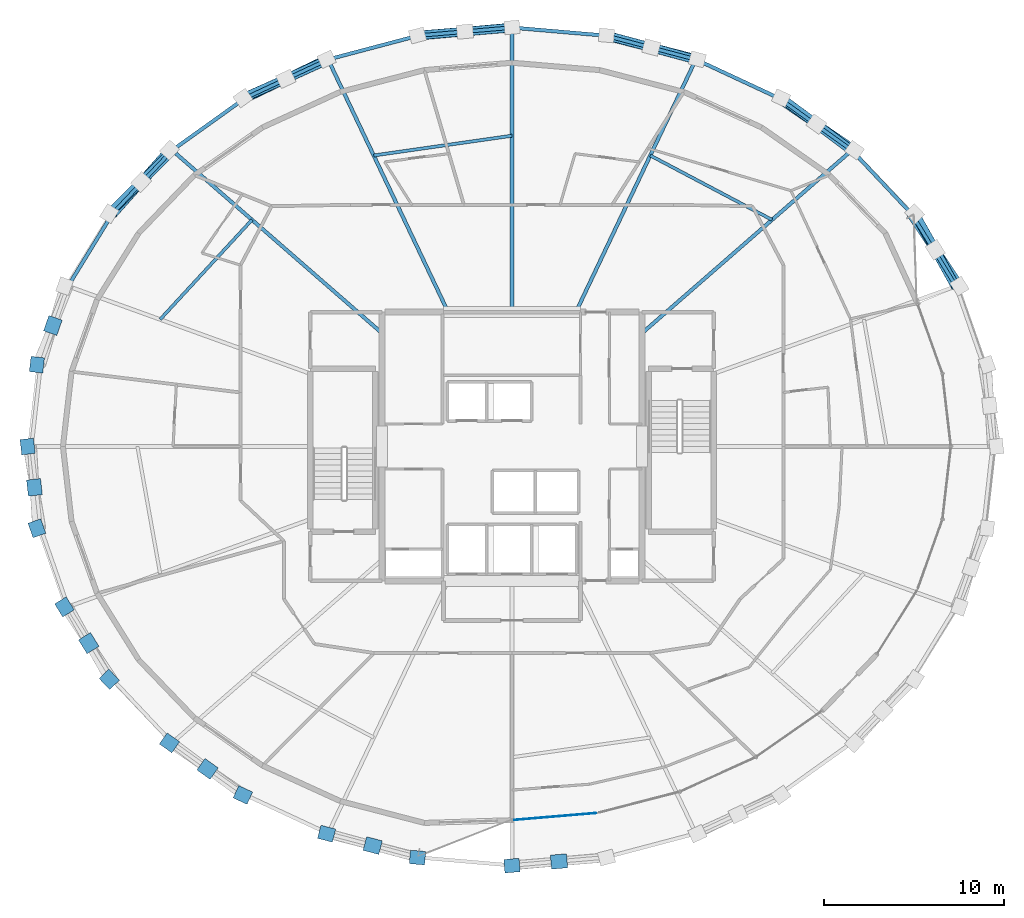
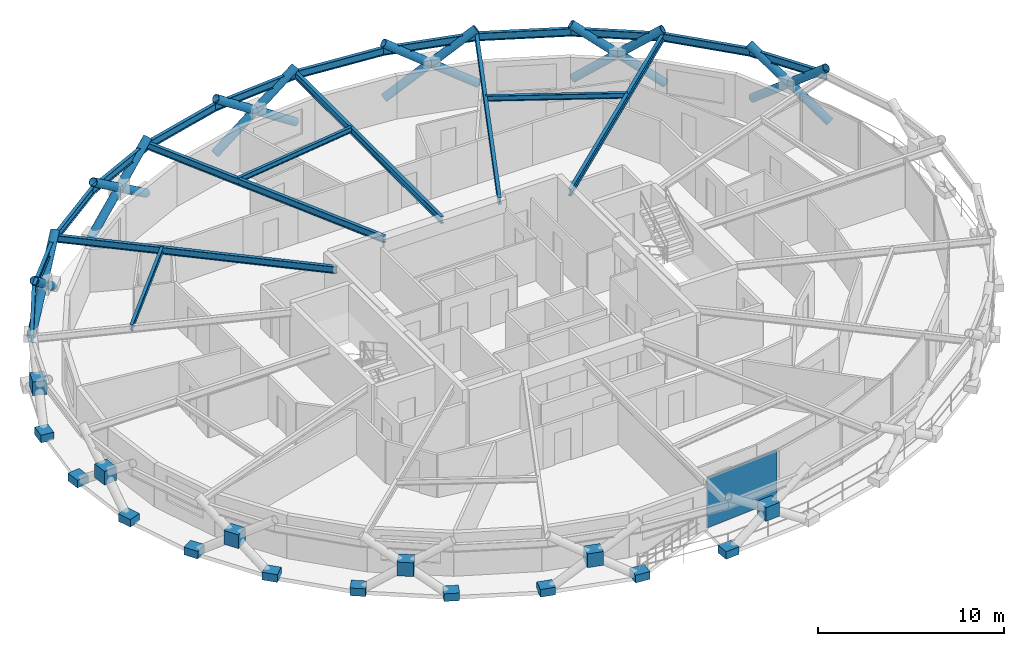
# One storey, part 10 of 16: 20 beams, 18 members, 17 plates, 1 element without a shape of its own.
"""IFC4 building model written with IfcOpenShell, lengths in metres."""

from ifc_helpers import new_model, si_unit, direction, frame, origin, origin_2d, place, context, subcontext, project, spatial, rectangle, hollow_circle, i_section, extrude, material, layer, layer_set, material_profile, profile_set, type_object, element, aggregate, save


model = new_model("IFC4")

# Units and contexts
model_context = context("Model", 3, precision=1e-05, world=origin(), true_north=direction((0.0, 1.0)))
body_context = subcontext(model_context, "Body", "Model", "MODEL_VIEW")
ifc_project = project(units=[si_unit("LENGTHUNIT", "METRE"), si_unit("AREAUNIT", "SQUARE_METRE"), si_unit("VOLUMEUNIT", "CUBIC_METRE"), si_unit("PLANEANGLEUNIT", "RADIAN"), si_unit("MASSUNIT", "GRAM", prefix="KILO")], contexts=[model_context])

# Site, building, storey
site_placement = place(None, origin())
site = spatial("IfcSite", under=ifc_project, at=site_placement, CompositionType="ELEMENT")
building_placement = place(site_placement, origin())
building = spatial("IfcBuilding", under=site, at=building_placement, Name="Veldorina Hangang Commons", CompositionType="ELEMENT")
storey_placement = place(building_placement, frame((0.0, 0.0, 192.800048828125)))
storey = spatial("IfcBuildingStorey", under=building, at=storey_placement, Name="L50", CompositionType="ELEMENT", Elevation=192.800048828125)

# Beams
ifc_material_1 = material(Name="Steel SM355-TMC", Category="steel")
ifc_material_profile_1 = material_profile(ifc_material_1, i_section(OverallWidth=0.199951171875, OverallDepth=0.449951171875, WebThickness=0.009033203125, FlangeThickness=0.013916015625, FilletRadius=0.01611328125, at=origin_2d()), Name="H-450x200x9x14")
ifc_profile_set_1 = profile_set([ifc_material_profile_1], Name="Steel SM355-TMC")
beam_type_1 = type_object("IfcBeamType", Name="BM-FG450", PredefinedType="BEAM", material=ifc_profile_set_1)
beam_1_placement = place(storey_placement, frame((39.199951171875, 30.276611328125, 3.125), z_axis=(0.753792605876, 0.657112400832, 0.0), x_axis=(-0.657112400832, 0.753792605876, 0.0)))
element("IfcBeam", 1, at=beam_1_placement, inside=storey, type_object=beam_type_1, Name="L50 radial floor girder 03", PredefinedType="BEAM", context=body_context, shape_type="SweptSolid", body=[
    extrude(i_section(OverallWidth=0.199951171875, OverallDepth=0.449951171875, WebThickness=0.009033203125, FlangeThickness=0.013916015625, FilletRadius=0.01611328125, at=origin_2d()), origin(), (0.0, 0.0, 1.0), 15.4443359375),
])
beam_2_placement = place(storey_placement, frame((35.539794921875, 31.449951171875, 3.125), z_axis=(0.42916853265, 0.903224429798, 0.0), x_axis=(-0.903224429798, 0.42916853265, 0.0)))
element("IfcBeam", 2, at=beam_2_placement, inside=storey, type_object=beam_type_1, Name="L50 radial floor girder 04", PredefinedType="BEAM", context=body_context, shape_type="SweptSolid", body=[
    extrude(i_section(OverallWidth=0.199951171875, OverallDepth=0.449951171875, WebThickness=0.009033203125, FlangeThickness=0.013916015625, FilletRadius=0.01611328125, at=origin_2d()), origin(), (0.0, 0.0, 1.0), 15.511962890625),
])
beam_3_placement = place(storey_placement, frame((32.0, 31.449951171875, 3.125), z_axis=(0.0, 1.0, 0.0), x_axis=(-1.0, 0.0, 0.0)))
element("IfcBeam", 3, at=beam_3_placement, inside=storey, type_object=beam_type_1, Name="L50 radial floor girder 05", PredefinedType="BEAM", context=body_context, shape_type="SweptSolid", body=[
    extrude(i_section(OverallWidth=0.199951171875, OverallDepth=0.449951171875, WebThickness=0.009033203125, FlangeThickness=0.013916015625, FilletRadius=0.01611328125, at=origin_2d()), origin(), (0.0, 0.0, 1.0), 15.779052734375),
])
beam_4_placement = place(storey_placement, frame((28.460205078125, 31.449951171875, 3.125), z_axis=(-0.42916853265, 0.903224429798, 0.0), x_axis=(-0.903224429798, -0.42916853265, 0.0)))
element("IfcBeam", 4, at=beam_4_placement, inside=storey, type_object=beam_type_1, Name="L50 radial floor girder 06", PredefinedType="BEAM", context=body_context, shape_type="SweptSolid", body=[
    extrude(i_section(OverallWidth=0.199951171875, OverallDepth=0.449951171875, WebThickness=0.009033203125, FlangeThickness=0.013916015625, FilletRadius=0.01611328125, at=origin_2d()), origin(), (0.0, 0.0, 1.0), 15.511962890625),
])
beam_5_placement = place(storey_placement, frame((24.800048828125, 30.276611328125, 3.125), z_axis=(-0.753792605876, 0.657112400832, 0.0), x_axis=(-0.657112400832, -0.753792605876, 0.0)))
element("IfcBeam", 5, at=beam_5_placement, inside=storey, type_object=beam_type_1, Name="L50 radial floor girder 07", PredefinedType="BEAM", context=body_context, shape_type="SweptSolid", body=[
    extrude(i_section(OverallWidth=0.199951171875, OverallDepth=0.449951171875, WebThickness=0.009033203125, FlangeThickness=0.013916015625, FilletRadius=0.01611328125, at=origin_2d()), origin(), (0.0, 0.0, 1.0), 15.4443359375),
])
ifc_material_profile_2 = material_profile(ifc_material_1, i_section(OverallWidth=0.175048828125, OverallDepth=0.35009765625, WebThickness=0.007080078125, FlangeThickness=0.010986328125, FilletRadius=0.012939453125, at=origin_2d()), Name="H-350x175x7x11")
ifc_profile_set_2 = profile_set([ifc_material_profile_2], Name="Steel SM355-TMC")
beam_type_2 = type_object("IfcBeamType", Name="BM-JST350", PredefinedType="JOIST", material=ifc_profile_set_2)
beam_6_placement = place(storey_placement, frame((46.41796875, 36.56884765625, 3.175048828125), z_axis=(-0.884108150213, 0.467282332992, 0.0), x_axis=(-0.467282332992, -0.884108150213, 0.0)))
element("IfcBeam", 6, at=beam_6_placement, inside=storey, type_object=beam_type_2, Name="L50 secondary floor joist 03", PredefinedType="JOIST", context=body_context, shape_type="SweptSolid", body=[
    extrude(i_section(OverallWidth=0.175048828125, OverallDepth=0.35009765625, WebThickness=0.007080078125, FlangeThickness=0.010986328125, FilletRadius=0.012939453125, at=origin_2d()), origin(), (0.0, 0.0, 1.0), 7.63525390625),
])
beam_7_placement = place(storey_placement, frame((32.0, 41.23291015625, 3.175048828125), z_axis=(-0.989934358132, -0.141527264472, 0.0), x_axis=(0.141527264472, -0.989934358132, 0.0)))
element("IfcBeam", 7, at=beam_7_placement, inside=storey, type_object=beam_type_2, Name="L50 secondary floor joist 05", PredefinedType="JOIST", context=body_context, shape_type="SweptSolid", body=[
    extrude(i_section(OverallWidth=0.175048828125, OverallDepth=0.35009765625, WebThickness=0.007080078125, FlangeThickness=0.010986328125, FilletRadius=0.012939453125, at=origin_2d()), origin(), (0.0, 0.0, 1.0), 7.745361328125),
])
beam_8_placement = place(storey_placement, frame((17.58203125, 36.56884765625, 3.175048828125), z_axis=(-0.677934542783, -0.735122272619, 0.0), x_axis=(0.735122272619, -0.677934542783, 0.0)))
element("IfcBeam", 8, at=beam_8_placement, inside=storey, type_object=beam_type_2, Name="L50 secondary floor joist 07", PredefinedType="JOIST", context=body_context, shape_type="SweptSolid", body=[
    extrude(i_section(OverallWidth=0.175048828125, OverallDepth=0.35009765625, WebThickness=0.007080078125, FlangeThickness=0.010986328125, FilletRadius=0.012939453125, at=origin_2d()), origin(), (0.0, 0.0, 1.0), 7.513671875),
])
ifc_material_2 = material(Name="Steel SM420-TMC", Category="steel")
ifc_material_profile_3 = material_profile(ifc_material_2, i_section(OverallWidth=0.199951171875, OverallDepth=0.5, WebThickness=0.010009765625, FlangeThickness=0.01611328125, FilletRadius=0.01611328125, at=origin_2d()), Name="H-500x200x10x16")
ifc_profile_set_3 = profile_set([ifc_material_profile_3], Name="Steel SM420-TMC")
beam_type_3 = type_object("IfcBeamType", Name="BM-RB500", PredefinedType="BEAM", material=ifc_profile_set_3)
beam_9_placement = place(storey_placement, frame((56.617919921875, 32.889404296875, 3.099853515625), z_axis=(-0.522688447386, 0.852523775017, 0.0), x_axis=(-0.852523775017, -0.522688447386, 0.0)))
element("IfcBeam", 9, at=beam_9_placement, inside=storey, type_object=beam_type_3, Name="L50 perimeter hoop ring beam 02", PredefinedType="BEAM", context=body_context, shape_type="SweptSolid", body=[
    extrude(i_section(OverallWidth=0.199951171875, OverallDepth=0.5, WebThickness=0.010009765625, FlangeThickness=0.01611328125, FilletRadius=0.01611328125, at=origin_2d()), origin(), (0.0, 0.0, 1.0), 4.71044921875),
])
beam_10_placement = place(storey_placement, frame((54.15576171875, 36.9052734375, 3.099853515625), z_axis=(-0.685474955266, 0.728096206352, 0.0), x_axis=(-0.728096206352, -0.685474955266, 0.0)))
element("IfcBeam", 10, at=beam_10_placement, inside=storey, type_object=beam_type_3, Name="L50 perimeter hoop ring beam 03", PredefinedType="BEAM", context=body_context, shape_type="SweptSolid", body=[
    extrude(i_section(OverallWidth=0.199951171875, OverallDepth=0.5, WebThickness=0.010009765625, FlangeThickness=0.01611328125, FilletRadius=0.01611328125, at=origin_2d()), origin(), (0.0, 0.0, 1.0), 4.83447265625),
])
beam_11_placement = place(storey_placement, frame((50.841796875, 40.42529296875, 3.099853515625), z_axis=(-0.813281360242, 0.581870629164, 0.0), x_axis=(-0.581870629164, -0.813281360242, 0.0)))
element("IfcBeam", 11, at=beam_11_placement, inside=storey, type_object=beam_type_3, Name="L50 perimeter hoop ring beam 04", PredefinedType="BEAM", context=body_context, shape_type="SweptSolid", body=[
    extrude(i_section(OverallWidth=0.199951171875, OverallDepth=0.5, WebThickness=0.010009765625, FlangeThickness=0.01611328125, FilletRadius=0.01611328125, at=origin_2d()), origin(), (0.0, 0.0, 1.0), 4.96484375),
])
beam_12_placement = place(storey_placement, frame((46.803955078125, 43.314208984375, 3.099853515625), z_axis=(-0.906440683499, 0.422333147288, 0.0), x_axis=(-0.422333147288, -0.906440683499, 0.0)))
element("IfcBeam", 12, at=beam_12_placement, inside=storey, type_object=beam_type_3, Name="L50 perimeter hoop ring beam 05", PredefinedType="BEAM", context=body_context, shape_type="SweptSolid", body=[
    extrude(i_section(OverallWidth=0.199951171875, OverallDepth=0.5, WebThickness=0.010009765625, FlangeThickness=0.01611328125, FilletRadius=0.01611328125, at=origin_2d()), origin(), (0.0, 0.0, 1.0), 5.08251953125),
])
beam_13_placement = place(storey_placement, frame((42.197021484375, 45.460693359375, 3.099853515625), z_axis=(-0.966758800249, 0.255690090034, 0.0), x_axis=(-0.255690090034, -0.966758800249, 0.0)))
element("IfcBeam", 13, at=beam_13_placement, inside=storey, type_object=beam_type_3, Name="L50 perimeter hoop ring beam 06", PredefinedType="BEAM", context=body_context, shape_type="SweptSolid", body=[
    extrude(i_section(OverallWidth=0.199951171875, OverallDepth=0.5, WebThickness=0.010009765625, FlangeThickness=0.01611328125, FilletRadius=0.01611328125, at=origin_2d()), origin(), (0.0, 0.0, 1.0), 5.17041015625),
])
for number, where, z_axis, x_axis, name in (
    (14, (37.198486328125, 46.78271484375, 3.099853515625), (-0.996335150659, 0.085535183178, 0.0), (-0.085535183178, -0.996335150659, 0.0), "L50 perimeter hoop ring beam 07"),
    (15, (32.0, 47.22900390625, 3.099853515625), (-0.996335150659, -0.085535183178, 0.0), (0.085535183178, -0.996335150659, 0.0), "L50 perimeter hoop ring beam 08"),
):
    element("IfcBeam", number, at=place(storey_placement, frame(where, z_axis=z_axis, x_axis=x_axis)), inside=storey, type_object=beam_type_3, Name=name, PredefinedType="BEAM", context=body_context, shape_type="SweptSolid", body=[
        extrude(i_section(OverallWidth=0.199951171875, OverallDepth=0.5, WebThickness=0.010009765625, FlangeThickness=0.01611328125, FilletRadius=0.01611328125, at=origin_2d()), origin(), (0.0, 0.0, 1.0), 5.217529296875),
    ])
beam_14_placement = place(storey_placement, frame((26.801513671875, 46.78271484375, 3.099853515625), z_axis=(-0.966758800249, -0.255690090034, 0.0), x_axis=(0.255690090034, -0.966758800249, 0.0)))
element("IfcBeam", 16, at=beam_14_placement, inside=storey, type_object=beam_type_3, Name="L50 perimeter hoop ring beam 09", PredefinedType="BEAM", context=body_context, shape_type="SweptSolid", body=[
    extrude(i_section(OverallWidth=0.199951171875, OverallDepth=0.5, WebThickness=0.010009765625, FlangeThickness=0.01611328125, FilletRadius=0.01611328125, at=origin_2d()), origin(), (0.0, 0.0, 1.0), 5.17041015625),
])
beam_15_placement = place(storey_placement, frame((21.802978515625, 45.460693359375, 3.099853515625), z_axis=(-0.906440683499, -0.422333147288, 0.0), x_axis=(0.422333147288, -0.906440683499, 0.0)))
element("IfcBeam", 17, at=beam_15_placement, inside=storey, type_object=beam_type_3, Name="L50 perimeter hoop ring beam 10", PredefinedType="BEAM", context=body_context, shape_type="SweptSolid", body=[
    extrude(i_section(OverallWidth=0.199951171875, OverallDepth=0.5, WebThickness=0.010009765625, FlangeThickness=0.01611328125, FilletRadius=0.01611328125, at=origin_2d()), origin(), (0.0, 0.0, 1.0), 5.08251953125),
])
beam_16_placement = place(storey_placement, frame((17.196044921875, 43.314208984375, 3.099853515625), z_axis=(-0.813281360242, -0.581870629164, 0.0), x_axis=(0.581870629164, -0.813281360242, 0.0)))
element("IfcBeam", 18, at=beam_16_placement, inside=storey, type_object=beam_type_3, Name="L50 perimeter hoop ring beam 11", PredefinedType="BEAM", context=body_context, shape_type="SweptSolid", body=[
    extrude(i_section(OverallWidth=0.199951171875, OverallDepth=0.5, WebThickness=0.010009765625, FlangeThickness=0.01611328125, FilletRadius=0.01611328125, at=origin_2d()), origin(), (0.0, 0.0, 1.0), 4.96484375),
])
beam_17_placement = place(storey_placement, frame((13.158203125, 40.42529296875, 3.099853515625), z_axis=(-0.685474955266, -0.728096206352, 0.0), x_axis=(0.728096206352, -0.685474955266, 0.0)))
element("IfcBeam", 19, at=beam_17_placement, inside=storey, type_object=beam_type_3, Name="L50 perimeter hoop ring beam 12", PredefinedType="BEAM", context=body_context, shape_type="SweptSolid", body=[
    extrude(i_section(OverallWidth=0.199951171875, OverallDepth=0.5, WebThickness=0.010009765625, FlangeThickness=0.01611328125, FilletRadius=0.01611328125, at=origin_2d()), origin(), (0.0, 0.0, 1.0), 4.83447265625),
])
beam_18_placement = place(storey_placement, frame((9.84423828125, 36.9052734375, 3.099853515625), z_axis=(-0.522688447386, -0.852523775017, 0.0), x_axis=(0.852523775017, -0.522688447386, 0.0)))
element("IfcBeam", 20, at=beam_18_placement, inside=storey, type_object=beam_type_3, Name="L50 perimeter hoop ring beam 13", PredefinedType="BEAM", context=body_context, shape_type="SweptSolid", body=[
    extrude(i_section(OverallWidth=0.199951171875, OverallDepth=0.5, WebThickness=0.010009765625, FlangeThickness=0.01611328125, FilletRadius=0.01611328125, at=origin_2d()), origin(), (0.0, 0.0, 1.0), 4.71044921875),
])

# Members
ifc_material_profile_4 = material_profile(ifc_material_2, hollow_circle(Radius=0.25, WallThickness=0.02490234375, at=origin_2d()), Name="CHS-500x25")
ifc_profile_set_4 = profile_set([ifc_material_profile_4], Name="Steel SM420-TMC")
member_type = type_object("IfcMemberType", Name="DG-CHS500", PredefinedType="BRACE", material=ifc_profile_set_4)
member_1_placement = place(storey_placement, frame((56.8154296875, 32.893310546875, 0.0), z_axis=(-0.446378599208, 0.665960225789, 0.597698187915), x_axis=(-0.830663114667, -0.556775349608, 0.0)))
element("IfcMember", 21, at=member_1_placement, inside=storey, type_object=member_type, Name="L50 continuous perimeter diagrid brace 02", PredefinedType="BRACE", context=body_context, shape_type="SweptSolid", body=[
    extrude(hollow_circle(Radius=0.25, WallThickness=0.02490234375, at=origin_2d()), origin(), (0.0, 0.0, 1.0), 6.02294921875),
])
member_2_placement = place(storey_placement, frame((54.333251953125, 36.9111328125, 0.0), z_axis=(0.387895490788, -0.68609067036, 0.615480852888), x_axis=(0.870505703709, 0.49215832799, 0.0)))
element("IfcMember", 22, at=member_2_placement, inside=storey, type_object=member_type, Name="L50 split perimeter diagrid lower brace 03", PredefinedType="BRACE", context=body_context, shape_type="SweptSolid", body=[
    extrude(hollow_circle(Radius=0.25, WallThickness=0.02490234375, at=origin_2d()), origin(), (0.0, 0.0, 1.0), 2.928466796875),
])
member_3_placement = place(storey_placement, frame((55.46923828125, 34.90185546875, 1.802490234375), z_axis=(0.382412034186, -0.689261122164, 0.615369922553), x_axis=(0.87443224794, 0.485147651507, 0.0)))
element("IfcMember", 23, at=member_3_placement, inside=storey, type_object=member_type, Name="L50 split perimeter diagrid upper brace 03", PredefinedType="BRACE", context=body_context, shape_type="SweptSolid", body=[
    extrude(hollow_circle(Radius=0.25, WallThickness=0.02490234375, at=origin_2d()), origin(), (0.0, 0.0, 1.0), 2.9208984375),
])
member_4_placement = place(storey_placement, frame((50.992919921875, 40.4326171875, 0.0), z_axis=(-0.674154169776, 0.461417773314, 0.576723325212), x_axis=(-0.564812636367, -0.825219174402, 0.0)))
element("IfcMember", 24, at=member_4_placement, inside=storey, type_object=member_type, Name="L50 continuous perimeter diagrid brace 04", PredefinedType="BRACE", context=body_context, shape_type="SweptSolid", body=[
    extrude(hollow_circle(Radius=0.25, WallThickness=0.02490234375, at=origin_2d()), origin(), (0.0, 0.0, 1.0), 6.241943359375),
])
member_5_placement = place(storey_placement, frame((46.922607421875, 43.322998046875, 0.0), z_axis=(0.646359989093, -0.476917998431, 0.595624031813), x_axis=(0.593725578568, 0.804667594324, 0.0)))
element("IfcMember", 25, at=member_5_placement, inside=storey, type_object=member_type, Name="L50 split perimeter diagrid lower brace 05", PredefinedType="BRACE", context=body_context, shape_type="SweptSolid", body=[
    extrude(hollow_circle(Radius=0.25, WallThickness=0.02490234375, at=origin_2d()), origin(), (0.0, 0.0, 1.0), 3.031494140625),
])
member_6_placement = place(storey_placement, frame((48.882080078125, 41.877197265625, 1.8056640625), z_axis=(0.642416392585, -0.48227828337, 0.595574374808), x_axis=(0.60037119501, 0.799721469139, 0.0)))
element("IfcMember", 26, at=member_6_placement, inside=storey, type_object=member_type, Name="L50 split perimeter diagrid upper brace 05", PredefinedType="BRACE", context=body_context, shape_type="SweptSolid", body=[
    extrude(hollow_circle(Radius=0.25, WallThickness=0.02490234375, at=origin_2d()), origin(), (0.0, 0.0, 1.0), 3.012451171875),
])
member_7_placement = place(storey_placement, frame((42.27880859375, 45.470458984375, 0.0), z_axis=(-0.798821091095, 0.205791218361, 0.565274127187), x_axis=(-0.24947319607, -0.968381703897, 0.0)))
element("IfcMember", 27, at=member_7_placement, inside=storey, type_object=member_type, Name="L50 continuous perimeter diagrid brace 06", PredefinedType="BRACE", context=body_context, shape_type="SweptSolid", body=[
    extrude(hollow_circle(Radius=0.25, WallThickness=0.02490234375, at=origin_2d()), origin(), (0.0, 0.0, 1.0), 6.368408203125),
])
member_8_placement = place(storey_placement, frame((37.239990234375, 46.79296875, 0.0), z_axis=(0.790284430366, -0.211337978872, 0.575140659151), x_axis=(0.258342164045, 0.966053480029, 0.0)))
element("IfcMember", 28, at=member_8_placement, inside=storey, type_object=member_type, Name="L50 split perimeter diagrid lower brace 07", PredefinedType="BRACE", context=body_context, shape_type="SweptSolid", body=[
    extrude(hollow_circle(Radius=0.25, WallThickness=0.02490234375, at=origin_2d()), origin(), (0.0, 0.0, 1.0), 3.143310546875),
])
member_9_placement = place(storey_placement, frame((39.72412109375, 46.128662109375, 1.807861328125), z_axis=(0.789377591951, -0.214836065224, 0.57508997766), x_axis=(0.262606830507, 0.96490292391, 0.0)))
element("IfcMember", 29, at=member_9_placement, inside=storey, type_object=member_type, Name="L50 split perimeter diagrid upper brace 07", PredefinedType="BRACE", context=body_context, shape_type="SweptSolid", body=[
    extrude(hollow_circle(Radius=0.25, WallThickness=0.02490234375, at=origin_2d()), origin(), (0.0, 0.0, 1.0), 3.115966796875),
])
member_10_placement = place(storey_placement, frame((32.0, 47.239501953125, 0.0), z_axis=(-0.819618966029, -0.072383936901, 0.568317971037), x_axis=(0.087971734777, -0.996122971264, 0.0)))
element("IfcMember", 30, at=member_10_placement, inside=storey, type_object=member_type, Name="L50 continuous perimeter diagrid brace 08", PredefinedType="BRACE", context=body_context, shape_type="SweptSolid", body=[
    extrude(hollow_circle(Radius=0.25, WallThickness=0.02490234375, at=origin_2d()), origin(), (0.0, 0.0, 1.0), 6.334228515625),
])
member_11_placement = place(storey_placement, frame((26.760009765625, 46.79296875, 0.0), z_axis=(0.822338024194, 0.067504790967, 0.564980775921), x_axis=(-0.081813668838, 0.996647642646, 0.0)))
element("IfcMember", 31, at=member_11_placement, inside=storey, type_object=member_type, Name="L50 split perimeter diagrid lower brace 09", PredefinedType="BRACE", context=body_context, shape_type="SweptSolid", body=[
    extrude(hollow_circle(Radius=0.25, WallThickness=0.02490234375, at=origin_2d()), origin(), (0.0, 0.0, 1.0), 3.20068359375),
])
member_12_placement = place(storey_placement, frame((29.39208984375, 47.009033203125, 1.808349609375), z_axis=(0.822299271788, 0.068820028925, 0.564878492453), x_axis=(-0.083400617222, 0.996516099743, 0.0)))
element("IfcMember", 32, at=member_12_placement, inside=storey, type_object=member_type, Name="L50 split perimeter diagrid upper brace 09", PredefinedType="BRACE", context=body_context, shape_type="SweptSolid", body=[
    extrude(hollow_circle(Radius=0.25, WallThickness=0.02490234375, at=origin_2d()), origin(), (0.0, 0.0, 1.0), 3.17138671875),
])
member_13_placement = place(storey_placement, frame((21.72119140625, 45.470458984375, 0.0), z_axis=(-0.7317605931, -0.350398229497, 0.584591750841), x_axis=(0.431882542573, -0.901929858371, 0.0)))
element("IfcMember", 33, at=member_13_placement, inside=storey, type_object=member_type, Name="L50 continuous perimeter diagrid brace 10", PredefinedType="BRACE", context=body_context, shape_type="SweptSolid", body=[
    extrude(hollow_circle(Radius=0.25, WallThickness=0.02490234375, at=origin_2d()), origin(), (0.0, 0.0, 1.0), 6.157958984375),
])
member_14_placement = place(storey_placement, frame((17.077392578125, 43.322998046875, 0.0), z_axis=(0.750575213976, 0.33540103853, 0.56933557022), x_axis=(-0.407978232551, 0.912991654817, 0.0)))
element("IfcMember", 34, at=member_14_placement, inside=storey, type_object=member_type, Name="L50 split perimeter diagrid lower brace 11", PredefinedType="BRACE", context=body_context, shape_type="SweptSolid", body=[
    extrude(hollow_circle(Radius=0.25, WallThickness=0.02490234375, at=origin_2d()), origin(), (0.0, 0.0, 1.0), 3.173583984375),
])
member_15_placement = place(storey_placement, frame((19.45947265625, 44.387451171875, 1.806884765625), z_axis=(0.748346639533, 0.340333756091, 0.569341937297), x_axis=(-0.413980557814, 0.91028572314, 0.0)))
element("IfcMember", 35, at=member_15_placement, inside=storey, type_object=member_type, Name="L50 split perimeter diagrid upper brace 11", PredefinedType="BRACE", context=body_context, shape_type="SweptSolid", body=[
    extrude(hollow_circle(Radius=0.25, WallThickness=0.02490234375, at=origin_2d()), origin(), (0.0, 0.0, 1.0), 3.149169921875),
])
member_16_placement = place(storey_placement, frame((13.007080078125, 40.4326171875, 0.0), z_axis=(-0.528015077982, -0.594443710134, 0.606495468166), x_axis=(0.7476461729, -0.664097282142, 0.0)))
element("IfcMember", 36, at=member_16_placement, inside=storey, type_object=member_type, Name="L50 continuous perimeter diagrid brace 12", PredefinedType="BRACE", context=body_context, shape_type="SweptSolid", body=[
    extrude(hollow_circle(Radius=0.25, WallThickness=0.02490234375, at=origin_2d()), origin(), (0.0, 0.0, 1.0), 5.935546875),
])
member_17_placement = place(storey_placement, frame((9.666748046875, 36.9111328125, 0.0), z_axis=(0.575324413059, 0.570006154826, 0.586595945434), x_axis=(-0.703815795279, 0.710382521122, 0.0)))
element("IfcMember", 37, at=member_17_placement, inside=storey, type_object=member_type, Name="L50 split perimeter diagrid lower brace 13", PredefinedType="BRACE", context=body_context, shape_type="SweptSolid", body=[
    extrude(hollow_circle(Radius=0.25, WallThickness=0.02490234375, at=origin_2d()), origin(), (0.0, 0.0, 1.0), 3.07568359375),
])
member_18_placement = place(storey_placement, frame((11.436279296875, 38.664306640625, 1.80419921875), z_axis=(0.570451830335, 0.574917830964, 0.586561332604), x_axis=(-0.709858520486, 0.704344291446, 0.0)))
element("IfcMember", 38, at=member_18_placement, inside=storey, type_object=member_type, Name="L50 split perimeter diagrid upper brace 13", PredefinedType="BRACE", context=body_context, shape_type="SweptSolid", body=[
    extrude(hollow_circle(Radius=0.25, WallThickness=0.02490234375, at=origin_2d()), origin(), (0.0, 0.0, 1.0), 3.061279296875),
])

# Curtain wall, plate
ifc_material_3 = material(Name="Glass Low-E Triple IGU", Category="glass")
ifc_layer_1 = layer(ifc_material_3, 0.179931640625)
ifc_layer_set_1 = layer_set([ifc_layer_1], Name="Glass Low-E Triple IGU")
curtain_wall_type = type_object("IfcCurtainWallType", Name="CW-SYS-Z2", PredefinedType="NOTDEFINED", material=ifc_layer_set_1)
curtain_wall_placement = place(storey_placement, origin())
curtain_wall = element("IfcCurtainWall", 39, at=curtain_wall_placement, inside=storey, type_object=curtain_wall_type, Name="L50 unitised curtain wall CW-L50-R1", PredefinedType="NOTDEFINED")
ifc_layer_2 = layer(ifc_material_3, 0.0400390625)
ifc_layer_set_2 = layer_set([ifc_layer_2], Name="Glass Low-E Triple IGU")
plate_type_1 = type_object("IfcPlateType", Name="CW-PNL-VIS", PredefinedType="CURTAIN_PANEL", material=ifc_layer_set_2)
plate_1_placement = place(storey_placement, frame((34.374267578125, 3.479736328125, 0.01513671875), z_axis=(0.0, 0.0, 1.0), x_axis=(0.996504533167, 0.083538705866, 0.0)))
plate_1 = element("IfcPlate", 40, at=plate_1_placement, type_object=plate_type_1, Name="CW-L50-R1 facet 1 glazed vision panel", PredefinedType="CURTAIN_PANEL", context=body_context, shape_type="SweptSolid", body=[
    extrude(rectangle(XDim=4.585205078125, YDim=0.0400390625, at=origin_2d()), origin(), (0.0, 0.0, 1.0), 3.280029296875),
])
aggregate(curtain_wall, [plate_1])

# Plates
ifc_material_4 = material(Name="Steel SM460-TMC", Category="steel")
ifc_layer_3 = layer(ifc_material_4, 0.035888671875)
ifc_layer_set_3 = layer_set([ifc_layer_3], Name="Steel SM460-TMC")
plate_type_2 = type_object("IfcPlateType", Name="PL-STAR-36", PredefinedType="USERDEFINED", material=ifc_layer_set_3)
plate_2_placement = place(storey_placement, frame((6.54150390625, 30.710693359375, 1.351318359375), z_axis=(0.0, 0.0, 1.0), x_axis=(-0.330860291621, -0.943679748341, 0.0)))
element("IfcPlate", 41, at=plate_2_placement, inside=storey, type_object=plate_type_2, Name="L50 diagrid X-crossing star-node gusset plate 14", ObjectType="GUSSET PLATE", PredefinedType="USERDEFINED", context=body_context, shape_type="SweptSolid", body=[
    extrude(rectangle(XDim=0.89990234375, YDim=0.780029296875, at=origin_2d()), origin(), (0.0, 0.0, 1.0), 0.89990234375),
])
for number, where, z_axis, x_axis, name in (
    (42, (5.656005859375, 28.53369140625, -0.090087890625), (0.0, 0.0, 1.0), (-0.113099166546, -0.993583704842, 0.0), "L50 diagrid star-node gusset plate 15"),
    (43, (5.139892578125, 24.0, -0.090087890625), (0.0, 0.0, 1.0), (0.113099166546, -0.993583704842, 0.0), "L50 diagrid star-node gusset plate 16"),
):
    element("IfcPlate", number, at=place(storey_placement, frame(where, z_axis=z_axis, x_axis=x_axis)), inside=storey, type_object=plate_type_2, Name=name, ObjectType="GUSSET PLATE", PredefinedType="USERDEFINED", context=body_context, shape_type="SweptSolid", body=[
        extrude(rectangle(XDim=0.85009765625, YDim=0.75, at=origin_2d()), origin(), (0.0, 0.0, 1.0), 0.5),
    ])
plate_3_placement = place(storey_placement, frame((5.519775390625, 21.733642578125, 1.3505859375), z_axis=(0.0, 0.0, 1.0), x_axis=(0.113099166546, -0.993583704842, 0.0)))
element("IfcPlate", 44, at=plate_3_placement, inside=storey, type_object=plate_type_2, Name="L50 diagrid X-crossing star-node gusset plate 16", ObjectType="GUSSET PLATE", PredefinedType="USERDEFINED", context=body_context, shape_type="SweptSolid", body=[
    extrude(rectangle(XDim=0.89990234375, YDim=0.780029296875, at=origin_2d()), origin(), (0.0, 0.0, 1.0), 0.89990234375),
])
for number, where, z_axis, x_axis, name in (
    (45, (5.656005859375, 19.46630859375, -0.090087890625), (0.0, 0.0, 1.0), (0.330860291621, -0.943679748341, 0.0), "L50 diagrid star-node gusset plate 17"),
    (46, (7.1845703125, 15.106689453125, -0.090087890625), (0.0, 0.0, 1.0), (0.525575593337, -0.850746904601, 0.0), "L50 diagrid star-node gusset plate 18"),
):
    element("IfcPlate", number, at=place(storey_placement, frame(where, z_axis=z_axis, x_axis=x_axis)), inside=storey, type_object=plate_type_2, Name=name, ObjectType="GUSSET PLATE", PredefinedType="USERDEFINED", context=body_context, shape_type="SweptSolid", body=[
        extrude(rectangle(XDim=0.85009765625, YDim=0.75, at=origin_2d()), origin(), (0.0, 0.0, 1.0), 0.5),
    ])
plate_4_placement = place(storey_placement, frame((8.53076171875, 13.09814453125, 1.3525390625), z_axis=(0.0, 0.0, 1.0), x_axis=(0.525575593337, -0.850746904601, 0.0)))
element("IfcPlate", 47, at=plate_4_placement, inside=storey, type_object=plate_type_2, Name="L50 diagrid X-crossing star-node gusset plate 18", ObjectType="GUSSET PLATE", PredefinedType="USERDEFINED", context=body_context, shape_type="SweptSolid", body=[
    extrude(rectangle(XDim=0.89990234375, YDim=0.780029296875, at=origin_2d()), origin(), (0.0, 0.0, 1.0), 0.89990234375),
])
for number, where, z_axis, x_axis, name in (
    (48, (9.666748046875, 11.0888671875, -0.090087890625), (0.0, 0.0, 1.0), (0.688189975753, -0.725530535039, 0.0), "L50 diagrid star-node gusset plate 19"),
    (49, (13.007080078125, 7.5673828125, -0.090087890625), (0.0, 0.0, 1.0), (0.815360268413, -0.578953912409, 0.0), "L50 diagrid star-node gusset plate 20"),
):
    element("IfcPlate", number, at=place(storey_placement, frame(where, z_axis=z_axis, x_axis=x_axis)), inside=storey, type_object=plate_type_2, Name=name, ObjectType="GUSSET PLATE", PredefinedType="USERDEFINED", context=body_context, shape_type="SweptSolid", body=[
        extrude(rectangle(XDim=0.85009765625, YDim=0.75, at=origin_2d()), origin(), (0.0, 0.0, 1.0), 0.5),
    ])
plate_5_placement = place(storey_placement, frame((15.117919921875, 6.122802734375, 1.355712890625), z_axis=(0.0, 0.0, 1.0), x_axis=(0.815360268413, -0.578953912409, 0.0)))
element("IfcPlate", 50, at=plate_5_placement, inside=storey, type_object=plate_type_2, Name="L50 diagrid X-crossing star-node gusset plate 20", ObjectType="GUSSET PLATE", PredefinedType="USERDEFINED", context=body_context, shape_type="SweptSolid", body=[
    extrude(rectangle(XDim=0.89990234375, YDim=0.780029296875, at=origin_2d()), origin(), (0.0, 0.0, 1.0), 0.89990234375),
])
for number, where, z_axis, x_axis, name in (
    (51, (17.077392578125, 4.677001953125, -0.090087890625), (0.0, 0.0, 1.0), (0.90764565898, -0.419737248448, 0.0), "L50 diagrid star-node gusset plate 21"),
    (52, (21.72119140625, 2.529541015625, -0.090087890625), (0.0, 0.0, 1.0), (0.967241174002, -0.253859235235, 0.0), "L50 diagrid star-node gusset plate 22"),
):
    element("IfcPlate", number, at=place(storey_placement, frame(where, z_axis=z_axis, x_axis=x_axis)), inside=storey, type_object=plate_type_2, Name=name, ObjectType="GUSSET PLATE", PredefinedType="USERDEFINED", context=body_context, shape_type="SweptSolid", body=[
        extrude(rectangle(XDim=0.85009765625, YDim=0.75, at=origin_2d()), origin(), (0.0, 0.0, 1.0), 0.5),
    ])
plate_6_placement = place(storey_placement, frame((24.27587890625, 1.871337890625, 1.35791015625), z_axis=(0.0, 0.0, 1.0), x_axis=(0.967241174002, -0.253859235235, 0.0)))
element("IfcPlate", 53, at=plate_6_placement, inside=storey, type_object=plate_type_2, Name="L50 diagrid X-crossing star-node gusset plate 22", ObjectType="GUSSET PLATE", PredefinedType="USERDEFINED", context=body_context, shape_type="SweptSolid", body=[
    extrude(rectangle(XDim=0.89990234375, YDim=0.780029296875, at=origin_2d()), origin(), (0.0, 0.0, 1.0), 0.89990234375),
])
for number, where, z_axis, x_axis, name in (
    (54, (26.760009765625, 1.20703125, -0.090087890625), (0.0, 0.0, 1.0), (0.996389883808, -0.084895226275, 0.0), "L50 diagrid star-node gusset plate 23"),
    (55, (32.0, 0.760498046875, -0.090087890625), (0.0, 0.0, 1.0), (0.996389883808, 0.084895226275, 0.0), "L50 diagrid star-node gusset plate 24"),
):
    element("IfcPlate", number, at=place(storey_placement, frame(where, z_axis=z_axis, x_axis=x_axis)), inside=storey, type_object=plate_type_2, Name=name, ObjectType="GUSSET PLATE", PredefinedType="USERDEFINED", context=body_context, shape_type="SweptSolid", body=[
        extrude(rectangle(XDim=0.85009765625, YDim=0.75, at=origin_2d()), origin(), (0.0, 0.0, 1.0), 0.5),
    ])
plate_7_placement = place(storey_placement, frame((34.60791015625, 0.990966796875, 1.3583984375), z_axis=(0.0, 0.0, 1.0), x_axis=(0.996389883808, 0.084895226275, 0.0)))
element("IfcPlate", 56, at=plate_7_placement, inside=storey, type_object=plate_type_2, Name="L50 diagrid X-crossing star-node gusset plate 24", ObjectType="GUSSET PLATE", PredefinedType="USERDEFINED", context=body_context, shape_type="SweptSolid", body=[
    extrude(rectangle(XDim=0.89990234375, YDim=0.780029296875, at=origin_2d()), origin(), (0.0, 0.0, 1.0), 0.89990234375),
])

save(model, "model.ifc")
